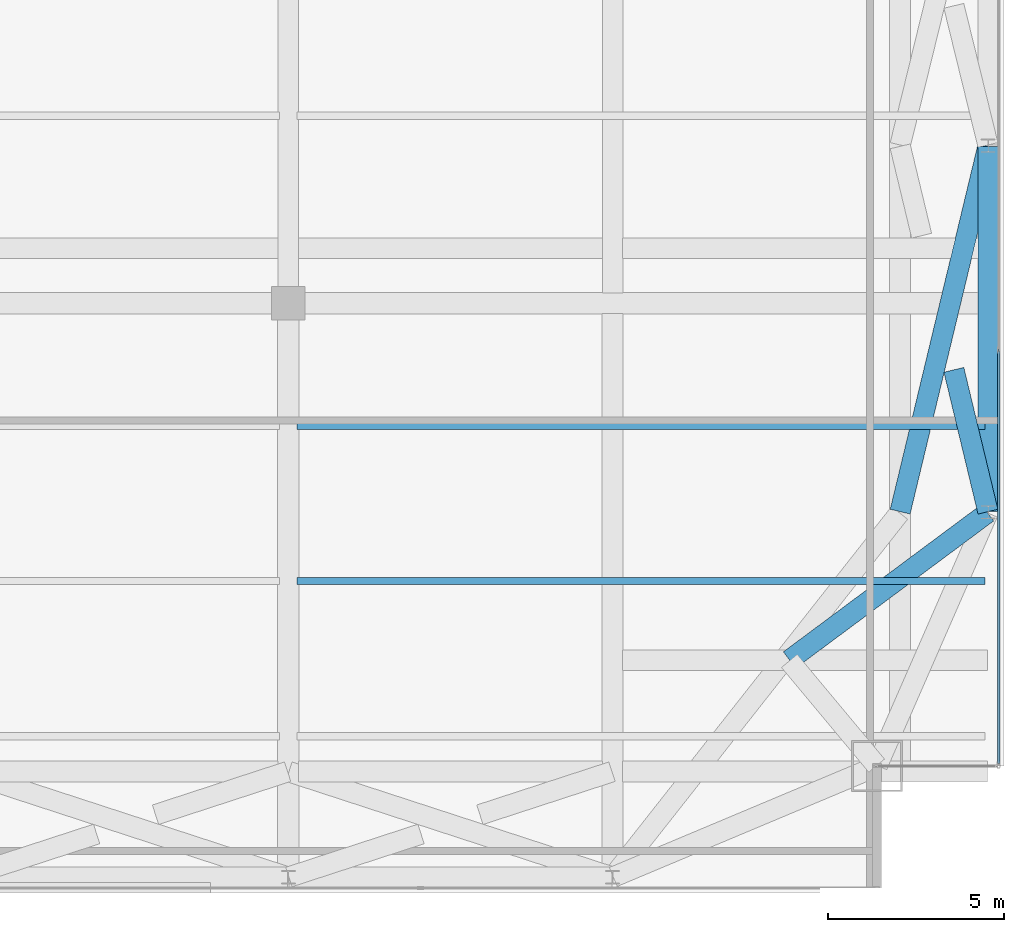
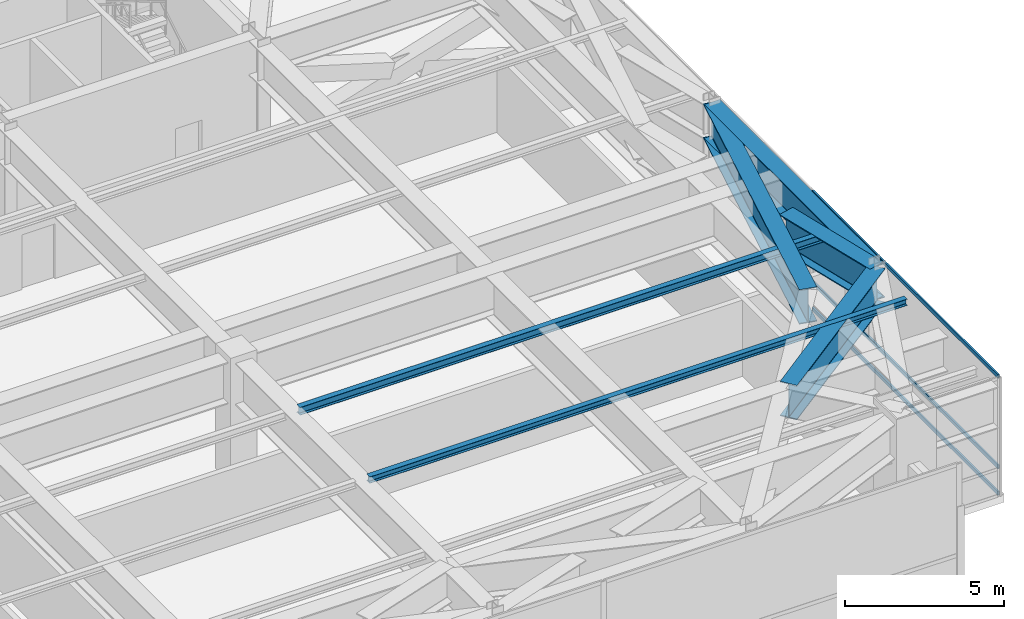
# One storey, part 17 of 32: 6 beams, 3 members, 1 element without a shape of its own.
"""IFC4 building model written with IfcOpenShell, lengths in metres."""

from ifc_helpers import new_model, si_unit, direction, frame, origin, origin_2d, place, context, subcontext, project, spatial, hollow_rectangle, i_section, extrude, source, transform, mapped, material, layer, layer_set, material_profile, profile_set, type_object, type_shapes, element, aggregate, save


model = new_model("IFC4")

# Units and contexts
model_context = context("Model", 3, precision=1e-05, world=origin(), true_north=direction((0.0, 1.0)))
body_context = subcontext(model_context, "Body", "Model", "MODEL_VIEW")
ifc_project = project(units=[si_unit("LENGTHUNIT", "METRE"), si_unit("AREAUNIT", "SQUARE_METRE"), si_unit("VOLUMEUNIT", "CUBIC_METRE"), si_unit("PLANEANGLEUNIT", "RADIAN"), si_unit("MASSUNIT", "GRAM", prefix="KILO")], contexts=[model_context])

# Site, building, storey
site_placement = place(None, origin())
site = spatial("IfcSite", under=ifc_project, at=site_placement, CompositionType="ELEMENT")
building_placement = place(site_placement, origin())
building = spatial("IfcBuilding", under=site, at=building_placement, Name="Varnel Quay Broadcast Tower", CompositionType="ELEMENT")
storey_placement = place(building_placement, frame((0.0, 0.0, 141.0)))
storey = spatial("IfcBuildingStorey", under=building, at=storey_placement, Name="L34", CompositionType="ELEMENT", Elevation=141.0)

# Beams
ifc_material_1 = material(Name="Structural Steel CSA G40.21 350WT", Category="steel")
ifc_material_profile_1 = material_profile(ifc_material_1, i_section(OverallWidth=0.580078125, OverallDepth=1.330078125, WebThickness=0.02197265625, FlangeThickness=0.0380859375, FilletRadius=0.02001953125, at=origin_2d()), Name="WWF1330X535")
ifc_profile_set_1 = profile_set([ifc_material_profile_1], Name="Structural Steel CSA G40.21 350WT")
beam_type_1 = type_object("IfcBeamType", Name="Girder_WWF1330X535", PredefinedType="BEAM", material=ifc_profile_set_1)
shared_shape_1 = source(origin(), body_context, "Body", "SweptSolid", [
    extrude(i_section(OverallWidth=0.580078125, OverallDepth=1.330078125, WebThickness=0.02197265625, FlangeThickness=0.0380859375, FilletRadius=0.02001953125, at=origin_2d()), origin(), (0.0, 0.0, 1.0), 10.35986328125),
])
beam_1_placement = place(storey_placement, frame((63.050048828125, 15.02001953125, 3.885009765625), z_axis=(0.0, 1.0, 0.0), x_axis=(-1.0, 0.0, 0.0)))
element("IfcBeam", 1, at=beam_1_placement, inside=storey, type_object=beam_type_1, Name="L34 East Transfer Spine TC-E1-TC-E2", PredefinedType="BEAM", context=body_context, shape_type="MappedRepresentation", body=[
    mapped(shared_shape_1, transform((0.0, 0.0, 0.0), x_axis=(1.0, 0.0, 0.0), y_axis=(0.0, 1.0, 0.0), z_axis=(0.0, 0.0, 1.0), scale=1.0)),
])
shared_shape_2 = source(origin(), body_context, "Body", "SweptSolid", [
    extrude(i_section(OverallWidth=0.580078125, OverallDepth=1.330078125, WebThickness=0.02197265625, FlangeThickness=0.0380859375, FilletRadius=0.02001953125, at=origin_2d()), origin(), (0.0, 0.0, 1.0), 10.656494140625),
])
beam_2_placement = place(storey_placement, frame((63.04541015625, 25.380615234375, 3.885009765625), z_axis=(-0.233728198443, -0.972301974313, 0.0), x_axis=(0.972301974313, -0.233728198443, 0.0)))
element("IfcBeam", 2, at=beam_2_placement, inside=storey, type_object=beam_type_1, Name="L34 X-Braced Transfer Tie TC-E1-TC-E2", PredefinedType="BEAM", context=body_context, shape_type="MappedRepresentation", body=[
    mapped(shared_shape_2, transform((0.0, 0.0, 0.0), x_axis=(1.0, 0.0, 0.0), y_axis=(0.0, 1.0, 0.0), z_axis=(0.0, 0.0, 1.0), scale=1.0)),
])
shared_shape_3 = source(origin(), body_context, "Body", "SweptSolid", [
    extrude(i_section(OverallWidth=0.580078125, OverallDepth=1.330078125, WebThickness=0.02197265625, FlangeThickness=0.0380859375, FilletRadius=0.02001953125, at=origin_2d()), origin(), (0.0, 0.0, 1.0), 4.137451171875),
])
beam_3_placement = place(storey_placement, frame((63.04541015625, 15.019287109375, 3.885009765625), z_axis=(-0.233723314168, 0.972303148413, 0.0), x_axis=(-0.972303148413, -0.233723314168, 0.0)))
element("IfcBeam", 3, at=beam_3_placement, inside=storey, type_object=beam_type_1, Name="L34 X-Braced Transfer Tie TC-E2-TC-E1 Part 1", PredefinedType="BEAM", context=body_context, shape_type="MappedRepresentation", body=[
    mapped(shared_shape_3, transform((0.0, 0.0, 0.0), x_axis=(1.0, 0.0, 0.0), y_axis=(0.0, 1.0, 0.0), z_axis=(0.0, 0.0, 1.0), scale=1.0)),
])
shared_shape_4 = source(origin(), body_context, "Body", "SweptSolid", [
    extrude(i_section(OverallWidth=0.580078125, OverallDepth=1.330078125, WebThickness=0.02197265625, FlangeThickness=0.0380859375, FilletRadius=0.02001953125, at=origin_2d()), origin(), (0.0, 0.0, 1.0), 7.0),
])
type_shapes(beam_type_1, [shared_shape_1, shared_shape_2, shared_shape_3, shared_shape_4])
beam_4_placement = place(storey_placement, frame((63.033935546875, 14.988037109375, 3.885009765625), z_axis=(-0.802558250142, -0.59657376336, 0.0), x_axis=(0.59657376336, -0.802558250142, 0.0)))
element("IfcBeam", 4, at=beam_4_placement, inside=storey, type_object=beam_type_1, Name="L34 Nodal Transfer Tie MC-SE-TC-E1", PredefinedType="BEAM", context=body_context, shape_type="MappedRepresentation", body=[
    mapped(shared_shape_4, transform((0.0, 0.0, 0.0), x_axis=(1.0, 0.0, 0.0), y_axis=(0.0, 1.0, 0.0), z_axis=(0.0, 0.0, 1.0), scale=1.0)),
])
ifc_material_2 = material(Name="Structural Steel CSA G40.21 350W", Category="steel")
ifc_material_profile_2 = material_profile(ifc_material_2, i_section(OverallWidth=0.202880859375, OverallDepth=0.302978515625, WebThickness=0.007568359375, FlangeThickness=0.01318359375, FilletRadius=0.011962890625, at=origin_2d()), Name="W310X60")
ifc_profile_set_2 = profile_set([ifc_material_profile_2], Name="Structural Steel CSA G40.21 350W")
beam_type_2 = type_object("IfcBeamType", Name="Beam_W310X60", PredefinedType="JOIST", material=ifc_profile_set_2)
shared_shape_5 = source(origin(), body_context, "Body", "SweptSolid", [
    extrude(i_section(OverallWidth=0.202880859375, OverallDepth=0.302978515625, WebThickness=0.007568359375, FlangeThickness=0.01318359375, FilletRadius=0.011962890625, at=origin_2d()), origin(), (0.0, 0.0, 1.0), 19.51953125),
])
type_shapes(beam_type_2, [shared_shape_5])
beam_5_placement = place(storey_placement, frame((43.445068359375, 17.449951171875, 4.3984375), z_axis=(1.0, 0.0, 0.0), x_axis=(0.0, 1.0, 0.0)))
element("IfcBeam", 5, at=beam_5_placement, inside=storey, type_object=beam_type_2, Name="L34 East Floor Joist 3", PredefinedType="JOIST", context=body_context, shape_type="MappedRepresentation", body=[
    mapped(shared_shape_5, transform((0.0, 0.0, 0.0), x_axis=(1.0, 0.0, 0.0), y_axis=(0.0, 1.0, 0.0), z_axis=(0.0, 0.0, 1.0), scale=1.0)),
])
ifc_material_profile_3 = material_profile(ifc_material_2, i_section(OverallWidth=0.201904296875, OverallDepth=0.2470703125, WebThickness=0.00732421875, FlangeThickness=0.010986328125, FilletRadius=0.010986328125, at=origin_2d()), Name="W250X49")
ifc_profile_set_3 = profile_set([ifc_material_profile_3], Name="Structural Steel CSA G40.21 350W")
beam_type_3 = type_object("IfcBeamType", Name="Beam_W250X49", PredefinedType="JOIST", material=ifc_profile_set_3)
shared_shape_6 = source(origin(), body_context, "Body", "SweptSolid", [
    extrude(i_section(OverallWidth=0.201904296875, OverallDepth=0.2470703125, WebThickness=0.00732421875, FlangeThickness=0.010986328125, FilletRadius=0.010986328125, at=origin_2d()), origin(), (0.0, 0.0, 1.0), 19.51953125),
])
type_shapes(beam_type_3, [shared_shape_6])
beam_6_placement = place(storey_placement, frame((43.445068359375, 13.050048828125, 4.426513671875), z_axis=(1.0, 0.0, 0.0), x_axis=(0.0, 1.0, 0.0)))
element("IfcBeam", 6, at=beam_6_placement, inside=storey, type_object=beam_type_3, Name="L34 East Floor Joist 2", PredefinedType="JOIST", context=body_context, shape_type="MappedRepresentation", body=[
    mapped(shared_shape_6, transform((0.0, 0.0, 0.0), x_axis=(1.0, 0.0, 0.0), y_axis=(0.0, 1.0, 0.0), z_axis=(0.0, 0.0, 1.0), scale=1.0)),
])

# Curtain wall, members
ifc_material_3 = material(Name="Anodised Bronze Aluminium 6063-T6", Category="aluminium")
ifc_layer = layer(ifc_material_3, 0.18994140625, Name="Anodised Bronze Aluminium 6063-T6")
ifc_layer_set = layer_set([ifc_layer], Name="Anodised Bronze Aluminium 6063-T6")
curtain_wall_type = type_object("IfcCurtainWallType", Name="CW_LowerTower", PredefinedType="NOTDEFINED", material=ifc_layer_set)
curtain_wall_placement = place(storey_placement, origin())
curtain_wall = element("IfcCurtainWall", 7, at=curtain_wall_placement, inside=storey, type_object=curtain_wall_type, Name="L34 East Unitised Curtain Wall", PredefinedType="NOTDEFINED")
ifc_material_profile_4 = material_profile(ifc_material_3, hollow_rectangle(XDim=0.06005859375, YDim=0.14501953125, WallThickness=0.00341796875, at=origin_2d()), Name="ALU60X145X3.5")
ifc_profile_set_4 = profile_set([ifc_material_profile_4], Name="Anodised Bronze Aluminium 6063-T6")
member_type = type_object("IfcMemberType", Name="Tran_CWS-02", PredefinedType="USERDEFINED", material=ifc_profile_set_4)
shared_shape_7 = source(origin(), body_context, "Body", "SweptSolid", [
    extrude(hollow_rectangle(XDim=0.06005859375, YDim=0.14501953125, WallThickness=0.00341796875, at=origin_2d()), origin(), (0.0, 0.0, 1.0), 11.69482421875),
])
type_shapes(member_type, [shared_shape_7])
member_1_placement = place(storey_placement, frame((63.35009765625, 7.8701171875, 0.030029296875), z_axis=(0.0, 1.0, 0.0), x_axis=(-1.0, 0.0, 0.0)))
member_1 = element("IfcMember", 8, at=member_1_placement, type_object=member_type, Name="CWS-02 transom 1.1", ObjectType="TRANSOM", PredefinedType="USERDEFINED", context=body_context, shape_type="MappedRepresentation", body=[
    mapped(shared_shape_7, transform((0.0, 0.0, 0.0), x_axis=(1.0, 0.0, 0.0), y_axis=(0.0, 1.0, 0.0), z_axis=(0.0, 0.0, 1.0), scale=1.0)),
])
member_2_placement = place(storey_placement, frame((63.35009765625, 7.8701171875, 1.050048828125), z_axis=(0.0, 1.0, 0.0), x_axis=(-1.0, 0.0, 0.0)))
member_2 = element("IfcMember", 9, at=member_2_placement, type_object=member_type, Name="CWS-02 transom 1.2", ObjectType="TRANSOM", PredefinedType="USERDEFINED", context=body_context, shape_type="MappedRepresentation", body=[
    mapped(shared_shape_7, transform((0.0, 0.0, 0.0), x_axis=(1.0, 0.0, 0.0), y_axis=(0.0, 1.0, 0.0), z_axis=(0.0, 0.0, 1.0), scale=1.0)),
])
member_3_placement = place(storey_placement, frame((63.35009765625, 7.8701171875, 4.52001953125), z_axis=(0.0, 1.0, 0.0), x_axis=(-1.0, 0.0, 0.0)))
member_3 = element("IfcMember", 10, at=member_3_placement, type_object=member_type, Name="CWS-02 transom 1.3", ObjectType="TRANSOM", PredefinedType="USERDEFINED", context=body_context, shape_type="MappedRepresentation", body=[
    mapped(shared_shape_7, transform((0.0, 0.0, 0.0), x_axis=(1.0, 0.0, 0.0), y_axis=(0.0, 1.0, 0.0), z_axis=(0.0, 0.0, 1.0), scale=1.0)),
])
aggregate(curtain_wall, [member_1, member_2, member_3])

save(model, "model.ifc")
